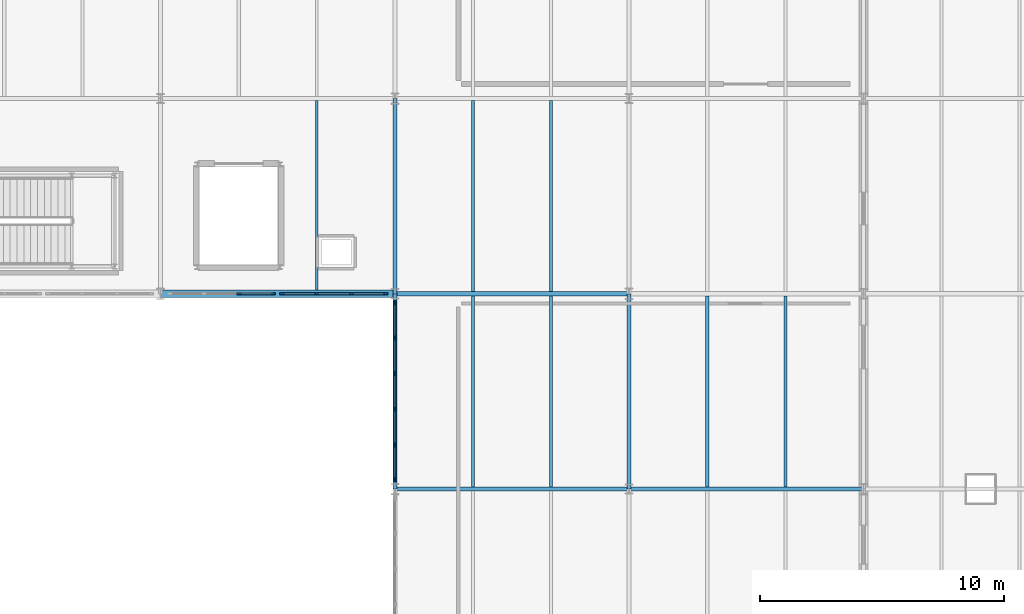
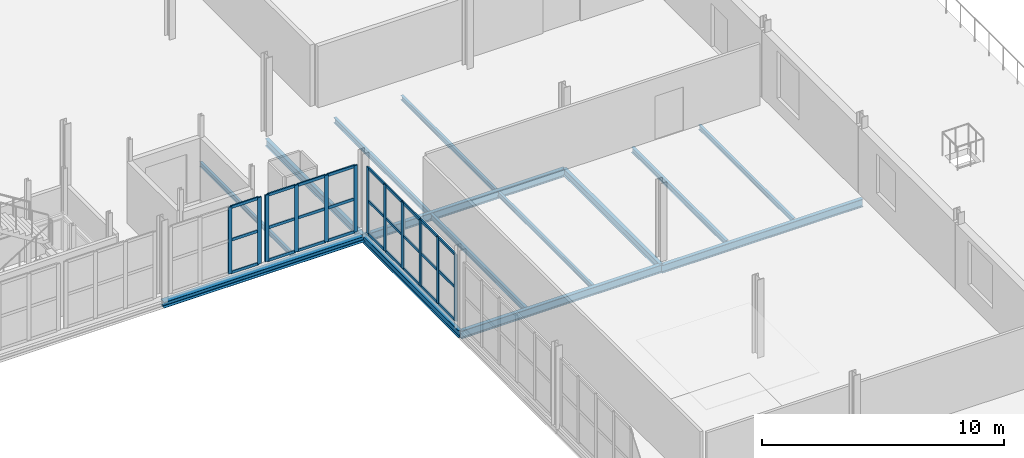
# One storey, part 56 of 85: 39 members, 14 beams, 3 elements without a shape of their own.
"""IFC4 building model written with IfcOpenShell, lengths in metres."""

from ifc_helpers import new_model, si_unit, direction, frame, origin, origin_2d, place, context, subcontext, project, spatial, rectangle, i_section, extrude, material, layer, layer_set, material_profile, profile_set, type_object, element, aggregate, save


model = new_model("IFC4")

# Units and contexts
model_context = context("Model", 3, precision=1e-05, world=origin(), true_north=direction((0.0, 1.0)))
body_context = subcontext(model_context, "Body", "Model", "MODEL_VIEW")
ifc_project = project(units=[si_unit("LENGTHUNIT", "METRE"), si_unit("AREAUNIT", "SQUARE_METRE"), si_unit("VOLUMEUNIT", "CUBIC_METRE"), si_unit("PLANEANGLEUNIT", "RADIAN"), si_unit("MASSUNIT", "GRAM", prefix="KILO")], contexts=[model_context])

# Site, building, storey
site_placement = place(None, origin())
site = spatial("IfcSite", under=ifc_project, at=site_placement, CompositionType="ELEMENT")
building_placement = place(site_placement, origin())
building = spatial("IfcBuilding", under=site, at=building_placement, Name="Alderhovde Museum", CompositionType="ELEMENT")
storey_placement = place(building_placement, frame((0.0, 0.0, 8.699951171875)))
storey = spatial("IfcBuildingStorey", under=building, at=storey_placement, Name="L02", CompositionType="ELEMENT", Elevation=8.699951171875)

# Beams
ifc_material_1 = material(Name="Steel S355J2", Category="steel")
ifc_material_profile_1 = material_profile(ifc_material_1, i_section(OverallWidth=0.169921875, OverallDepth=0.360107421875, WebThickness=0.008056640625, FlangeThickness=0.0126953125, FilletRadius=0.01806640625, at=origin_2d()), Name="IPE 360")
ifc_profile_set_1 = profile_set([ifc_material_profile_1], Name="Steel S355J2")
beam_type_1 = type_object("IfcBeamType", Name="BM-IPE360", PredefinedType="BEAM", material=ifc_profile_set_1)
for number, where, z_axis, x_axis, name in (
    (1, (144.0, 64.0, -0.43994140625), (0.0, 1.0, 0.0), (-1.0, 0.0, 0.0), "L02 Grid Beam X=144.0 (64.0 TO 72.0)"),
    (2, (144.0, 72.0, -0.43994140625), (0.0, 1.0, 0.0), (-1.0, 0.0, 0.0), "L02 Grid Beam X=144.0 (72.0 TO 80.0)"),
    (3, (153.60009765625, 64.0, -0.43994140625), (0.0, 1.0, 0.0), (-1.0, 0.0, 0.0), "L02 Grid Beam X=153.6 (64.0 TO 72.0)"),
):
    element("IfcBeam", number, at=place(storey_placement, frame(where, z_axis=z_axis, x_axis=x_axis)), inside=storey, type_object=beam_type_1, Name=name, PredefinedType="BEAM", context=body_context, shape_type="SweptSolid", body=[
        extrude(i_section(OverallWidth=0.169921875, OverallDepth=0.360107421875, WebThickness=0.008056640625, FlangeThickness=0.0126953125, FilletRadius=0.01806640625, at=origin_2d()), origin(), (0.0, 0.0, 1.0), 8.0),
    ])
ifc_material_2 = material(Name="Steel S355J2", Category="steel")
ifc_material_profile_2 = material_profile(ifc_material_2, i_section(OverallWidth=0.179931640625, OverallDepth=0.39990234375, WebThickness=0.008544921875, FlangeThickness=0.013427734375, FilletRadius=0.02099609375, at=origin_2d()), Name="IPE 400")
ifc_profile_set_2 = profile_set([ifc_material_profile_2], Name="Steel S355J2")
beam_type_2 = type_object("IfcBeamType", Name="BM-IPE400", PredefinedType="BEAM", material=ifc_profile_set_2)
beam_1_placement = place(storey_placement, frame((144.0, 64.0, -0.4599609375), z_axis=(1.0, 0.0, 0.0), x_axis=(0.0, 1.0, 0.0)))
element("IfcBeam", 4, at=beam_1_placement, inside=storey, type_object=beam_type_2, Name="L02 Grid Beam Y=64.0 (144.0 TO 153.6)", PredefinedType="BEAM", context=body_context, shape_type="SweptSolid", body=[
    extrude(i_section(OverallWidth=0.179931640625, OverallDepth=0.39990234375, WebThickness=0.008544921875, FlangeThickness=0.013427734375, FilletRadius=0.02099609375, at=origin_2d()), origin(), (0.0, 0.0, 1.0), 9.60009765625),
])
beam_2_placement = place(storey_placement, frame((153.60009765625, 64.0, -0.5), z_axis=(1.0, 0.0, 0.0), x_axis=(0.0, 1.0, 0.0)))
element("IfcBeam", 5, at=beam_2_placement, inside=storey, type_object=beam_type_2, Name="L02 Grid Beam Y=64.0 (153.6 TO 163.2)", PredefinedType="BEAM", context=body_context, shape_type="SweptSolid", body=[
    extrude(i_section(OverallWidth=0.179931640625, OverallDepth=0.39990234375, WebThickness=0.008544921875, FlangeThickness=0.013427734375, FilletRadius=0.02099609375, at=origin_2d()), origin(), (0.0, 0.0, 1.0), 9.599853515625),
])
beam_3_placement = place(storey_placement, frame((144.0, 72.0, -0.4599609375), z_axis=(1.0, 0.0, 0.0), x_axis=(0.0, 1.0, 0.0)))
element("IfcBeam", 6, at=beam_3_placement, inside=storey, type_object=beam_type_2, Name="L02 Grid Beam Y=72.0 (144.0 TO 153.6)", PredefinedType="BEAM", context=body_context, shape_type="SweptSolid", body=[
    extrude(i_section(OverallWidth=0.179931640625, OverallDepth=0.39990234375, WebThickness=0.008544921875, FlangeThickness=0.013427734375, FilletRadius=0.02099609375, at=origin_2d()), origin(), (0.0, 0.0, 1.0), 9.60009765625),
])

# Curtain wall, members
ifc_material_3 = material(Name="Triple-Glazed Bronze-Anodised Curtain Wall", Category="glass")
ifc_layer_1 = layer(ifc_material_3, 0.179931640625)
ifc_layer_set_1 = layer_set([ifc_layer_1], Name="Triple-Glazed Bronze-Anodised Curtain Wall")
curtain_wall_type_1 = type_object("IfcCurtainWallType", Name="CW-STIC-430x336", PredefinedType="USERDEFINED", material=ifc_layer_set_1)
curtain_wall_1_placement = place(storey_placement, origin())
curtain_wall_1 = element("IfcCurtainWall", 7, at=curtain_wall_1_placement, inside=storey, type_object=curtain_wall_type_1, Name="L02 Stick Curtain Wall 161", ObjectType="STICK CURTAIN WALL", PredefinedType="USERDEFINED")
ifc_material_4 = material(Name="Bronze-Anodised Aluminium EN AW-6063-T6", Category="aluminium")
ifc_material_profile_3 = material_profile(ifc_material_4, rectangle(XDim=0.06494140625, YDim=0.179931640625, at=origin_2d()), Name="MULLION 65x180")
ifc_profile_set_3 = profile_set([ifc_material_profile_3], Name="Bronze-Anodised Aluminium EN AW-6063-T6")
member_type_1 = type_object("IfcMemberType", Name="CWM-65x180", PredefinedType="MULLION", material=ifc_profile_set_3)
member_1_placement = place(storey_placement, frame((137.61669921875, 72.0, 0.0), z_axis=(0.0, 0.0, 1.0), x_axis=(0.0, 1.0, 0.0)))
member_1 = element("IfcMember", 8, at=member_1_placement, type_object=member_type_1, Name="CW37 mullion 3", PredefinedType="MULLION", context=body_context, shape_type="SweptSolid", body=[
    extrude(rectangle(XDim=0.06494140625, YDim=0.179931640625, at=origin_2d()), origin(), (0.0, 0.0, 1.0), 3.360107421875),
])
member_2_placement = place(storey_placement, frame((139.017578125, 72.0, 0.0), z_axis=(0.0, 0.0, 1.0), x_axis=(0.0, 1.0, 0.0)))
member_2 = element("IfcMember", 9, at=member_2_placement, type_object=member_type_1, Name="CW37 mullion 4", PredefinedType="MULLION", context=body_context, shape_type="SweptSolid", body=[
    extrude(rectangle(XDim=0.06494140625, YDim=0.179931640625, at=origin_2d()), origin(), (0.0, 0.0, 1.0), 3.360107421875),
])

curtain_wall_2_placement = place(storey_placement, origin())
curtain_wall_2 = element("IfcCurtainWall", 10, at=curtain_wall_2_placement, inside=storey, type_object=curtain_wall_type_1, Name="L02 Stick Curtain Wall 162", ObjectType="STICK CURTAIN WALL", PredefinedType="USERDEFINED")
member_3_placement = place(storey_placement, frame((139.382568359375, 72.0, 0.0), z_axis=(0.0, 0.0, 1.0), x_axis=(0.0, 1.0, 0.0)))
member_3 = element("IfcMember", 11, at=member_3_placement, type_object=member_type_1, Name="CW37 mullion 1", PredefinedType="MULLION", context=body_context, shape_type="SweptSolid", body=[
    extrude(rectangle(XDim=0.06494140625, YDim=0.179931640625, at=origin_2d()), origin(), (0.0, 0.0, 1.0), 3.360107421875),
])
member_4_placement = place(storey_placement, frame((140.783447265625, 72.0, 0.0), z_axis=(0.0, 0.0, 1.0), x_axis=(0.0, 1.0, 0.0)))
member_4 = element("IfcMember", 12, at=member_4_placement, type_object=member_type_1, Name="CW37 mullion 2", PredefinedType="MULLION", context=body_context, shape_type="SweptSolid", body=[
    extrude(rectangle(XDim=0.06494140625, YDim=0.179931640625, at=origin_2d()), origin(), (0.0, 0.0, 1.0), 3.360107421875),
])
member_5_placement = place(storey_placement, frame((142.216552734375, 72.0, 0.0), z_axis=(0.0, 0.0, 1.0), x_axis=(0.0, 1.0, 0.0)))
member_5 = element("IfcMember", 13, at=member_5_placement, type_object=member_type_1, Name="CW37 mullion 3", PredefinedType="MULLION", context=body_context, shape_type="SweptSolid", body=[
    extrude(rectangle(XDim=0.06494140625, YDim=0.179931640625, at=origin_2d()), origin(), (0.0, 0.0, 1.0), 3.360107421875),
])
member_6_placement = place(storey_placement, frame((143.617431640625, 72.0, 0.0), z_axis=(0.0, 0.0, 1.0), x_axis=(0.0, 1.0, 0.0)))
member_6 = element("IfcMember", 14, at=member_6_placement, type_object=member_type_1, Name="CW37 mullion 4", PredefinedType="MULLION", context=body_context, shape_type="SweptSolid", body=[
    extrude(rectangle(XDim=0.06494140625, YDim=0.179931640625, at=origin_2d()), origin(), (0.0, 0.0, 1.0), 3.360107421875),
])

ifc_material_5 = material(Name="Triple-Glazed Bronze-Anodised Curtain Wall", Category="glass")
ifc_layer_2 = layer(ifc_material_5, 0.179931640625)
ifc_layer_set_2 = layer_set([ifc_layer_2], Name="Triple-Glazed Bronze-Anodised Curtain Wall")
curtain_wall_type_2 = type_object("IfcCurtainWallType", Name="CW-STIC-730x336", PredefinedType="USERDEFINED", material=ifc_layer_set_2)
curtain_wall_3_placement = place(storey_placement, origin())
curtain_wall_3 = element("IfcCurtainWall", 15, at=curtain_wall_3_placement, inside=storey, type_object=curtain_wall_type_2, Name="L02 Stick Curtain Wall 166", ObjectType="STICK CURTAIN WALL", PredefinedType="USERDEFINED")
member_7_placement = place(storey_placement, frame((144.0, 64.382568359375, 0.0), z_axis=(0.0, 0.0, 1.0), x_axis=(-1.0, 0.0, 0.0)))
member_7 = element("IfcMember", 16, at=member_7_placement, type_object=member_type_1, Name="CW12 mullion 1", PredefinedType="MULLION", context=body_context, shape_type="SweptSolid", body=[
    extrude(rectangle(XDim=0.06494140625, YDim=0.179931640625, at=origin_2d()), origin(), (0.0, 0.0, 1.0), 3.360107421875),
])
member_8_placement = place(storey_placement, frame((144.0, 65.81005859375, 0.0), z_axis=(0.0, 0.0, 1.0), x_axis=(-1.0, 0.0, 0.0)))
member_8 = element("IfcMember", 17, at=member_8_placement, type_object=member_type_1, Name="CW12 mullion 2", PredefinedType="MULLION", context=body_context, shape_type="SweptSolid", body=[
    extrude(rectangle(XDim=0.06494140625, YDim=0.179931640625, at=origin_2d()), origin(), (0.0, 0.0, 1.0), 3.360107421875),
])
member_9_placement = place(storey_placement, frame((144.0, 67.27001953125, 0.0), z_axis=(0.0, 0.0, 1.0), x_axis=(-1.0, 0.0, 0.0)))
member_9 = element("IfcMember", 18, at=member_9_placement, type_object=member_type_1, Name="CW12 mullion 3", PredefinedType="MULLION", context=body_context, shape_type="SweptSolid", body=[
    extrude(rectangle(XDim=0.06494140625, YDim=0.179931640625, at=origin_2d()), origin(), (0.0, 0.0, 1.0), 3.360107421875),
])
member_10_placement = place(storey_placement, frame((144.0, 68.72998046875, 0.0), z_axis=(0.0, 0.0, 1.0), x_axis=(-1.0, 0.0, 0.0)))
member_10 = element("IfcMember", 19, at=member_10_placement, type_object=member_type_1, Name="CW12 mullion 4", PredefinedType="MULLION", context=body_context, shape_type="SweptSolid", body=[
    extrude(rectangle(XDim=0.06494140625, YDim=0.179931640625, at=origin_2d()), origin(), (0.0, 0.0, 1.0), 3.360107421875),
])
member_11_placement = place(storey_placement, frame((144.0, 70.18994140625, 0.0), z_axis=(0.0, 0.0, 1.0), x_axis=(-1.0, 0.0, 0.0)))
member_11 = element("IfcMember", 20, at=member_11_placement, type_object=member_type_1, Name="CW12 mullion 5", PredefinedType="MULLION", context=body_context, shape_type="SweptSolid", body=[
    extrude(rectangle(XDim=0.06494140625, YDim=0.179931640625, at=origin_2d()), origin(), (0.0, 0.0, 1.0), 3.360107421875),
])
member_12_placement = place(storey_placement, frame((144.0, 71.617431640625, 0.0), z_axis=(0.0, 0.0, 1.0), x_axis=(-1.0, 0.0, 0.0)))
member_12 = element("IfcMember", 21, at=member_12_placement, type_object=member_type_1, Name="CW12 mullion 6", PredefinedType="MULLION", context=body_context, shape_type="SweptSolid", body=[
    extrude(rectangle(XDim=0.06494140625, YDim=0.179931640625, at=origin_2d()), origin(), (0.0, 0.0, 1.0), 3.360107421875),
])

# Member
ifc_material_6 = material(Name="Bronze-Anodised Aluminium EN AW-6063-T6", Category="aluminium")
ifc_material_profile_4 = material_profile(ifc_material_6, rectangle(XDim=0.06494140625, YDim=0.139892578125, at=origin_2d()), Name="TRANSOM 65x140")
ifc_profile_set_4 = profile_set([ifc_material_profile_4], Name="Bronze-Anodised Aluminium EN AW-6063-T6")
member_type_2 = type_object("IfcMemberType", Name="CWT-65x140", PredefinedType="USERDEFINED", material=ifc_profile_set_4)
member_13_placement = place(storey_placement, frame((137.649169921875, 72.0, 0.032470703125), z_axis=(1.0, 0.0, 0.0), x_axis=(0.0, 1.0, 0.0)))
member_13 = element("IfcMember", 22, at=member_13_placement, type_object=member_type_2, Name="CW37 transom 3.1", ObjectType="TRANSOM", PredefinedType="USERDEFINED", context=body_context, shape_type="SweptSolid", body=[
    extrude(rectangle(XDim=0.06494140625, YDim=0.139892578125, at=origin_2d()), origin(), (0.0, 0.0, 1.0), 1.3359375),
])

member_14_placement = place(storey_placement, frame((137.649169921875, 72.0, 1.679931640625), z_axis=(1.0, 0.0, 0.0), x_axis=(0.0, 1.0, 0.0)))
member_14 = element("IfcMember", 23, at=member_14_placement, type_object=member_type_2, Name="CW37 transom 3.2", ObjectType="TRANSOM", PredefinedType="USERDEFINED", context=body_context, shape_type="SweptSolid", body=[
    extrude(rectangle(XDim=0.06494140625, YDim=0.139892578125, at=origin_2d()), origin(), (0.0, 0.0, 1.0), 1.3359375),
])

member_15_placement = place(storey_placement, frame((137.649169921875, 72.0, 3.32763671875), z_axis=(1.0, 0.0, 0.0), x_axis=(0.0, 1.0, 0.0)))
member_15 = element("IfcMember", 24, at=member_15_placement, type_object=member_type_2, Name="CW37 transom 3.3", ObjectType="TRANSOM", PredefinedType="USERDEFINED", context=body_context, shape_type="SweptSolid", body=[
    extrude(rectangle(XDim=0.06494140625, YDim=0.139892578125, at=origin_2d()), origin(), (0.0, 0.0, 1.0), 1.3359375),
])

aggregate(curtain_wall_1, [member_1, member_2, member_13, member_14, member_15])

member_16_placement = place(storey_placement, frame((139.4150390625, 72.0, 0.032470703125), z_axis=(1.0, 0.0, 0.0), x_axis=(0.0, 1.0, 0.0)))
member_16 = element("IfcMember", 25, at=member_16_placement, type_object=member_type_2, Name="CW37 transom 1.1", ObjectType="TRANSOM", PredefinedType="USERDEFINED", context=body_context, shape_type="SweptSolid", body=[
    extrude(rectangle(XDim=0.06494140625, YDim=0.139892578125, at=origin_2d()), origin(), (0.0, 0.0, 1.0), 1.335693359375),
])

member_17_placement = place(storey_placement, frame((139.4150390625, 72.0, 1.679931640625), z_axis=(1.0, 0.0, 0.0), x_axis=(0.0, 1.0, 0.0)))
member_17 = element("IfcMember", 26, at=member_17_placement, type_object=member_type_2, Name="CW37 transom 1.2", ObjectType="TRANSOM", PredefinedType="USERDEFINED", context=body_context, shape_type="SweptSolid", body=[
    extrude(rectangle(XDim=0.06494140625, YDim=0.139892578125, at=origin_2d()), origin(), (0.0, 0.0, 1.0), 1.335693359375),
])

member_18_placement = place(storey_placement, frame((139.4150390625, 72.0, 3.32763671875), z_axis=(1.0, 0.0, 0.0), x_axis=(0.0, 1.0, 0.0)))
member_18 = element("IfcMember", 27, at=member_18_placement, type_object=member_type_2, Name="CW37 transom 1.3", ObjectType="TRANSOM", PredefinedType="USERDEFINED", context=body_context, shape_type="SweptSolid", body=[
    extrude(rectangle(XDim=0.06494140625, YDim=0.139892578125, at=origin_2d()), origin(), (0.0, 0.0, 1.0), 1.335693359375),
])

member_19_placement = place(storey_placement, frame((140.81591796875, 72.0, 0.032470703125), z_axis=(1.0, 0.0, 0.0), x_axis=(0.0, 1.0, 0.0)))
member_19 = element("IfcMember", 28, at=member_19_placement, type_object=member_type_2, Name="CW37 transom 2.1", ObjectType="TRANSOM", PredefinedType="USERDEFINED", context=body_context, shape_type="SweptSolid", body=[
    extrude(rectangle(XDim=0.06494140625, YDim=0.139892578125, at=origin_2d()), origin(), (0.0, 0.0, 1.0), 1.3681640625),
])

member_20_placement = place(storey_placement, frame((140.81591796875, 72.0, 1.679931640625), z_axis=(1.0, 0.0, 0.0), x_axis=(0.0, 1.0, 0.0)))
member_20 = element("IfcMember", 29, at=member_20_placement, type_object=member_type_2, Name="CW37 transom 2.2", ObjectType="TRANSOM", PredefinedType="USERDEFINED", context=body_context, shape_type="SweptSolid", body=[
    extrude(rectangle(XDim=0.06494140625, YDim=0.139892578125, at=origin_2d()), origin(), (0.0, 0.0, 1.0), 1.3681640625),
])

member_21_placement = place(storey_placement, frame((140.81591796875, 72.0, 3.32763671875), z_axis=(1.0, 0.0, 0.0), x_axis=(0.0, 1.0, 0.0)))
member_21 = element("IfcMember", 30, at=member_21_placement, type_object=member_type_2, Name="CW37 transom 2.3", ObjectType="TRANSOM", PredefinedType="USERDEFINED", context=body_context, shape_type="SweptSolid", body=[
    extrude(rectangle(XDim=0.06494140625, YDim=0.139892578125, at=origin_2d()), origin(), (0.0, 0.0, 1.0), 1.3681640625),
])

member_22_placement = place(storey_placement, frame((142.249267578125, 72.0, 0.032470703125), z_axis=(1.0, 0.0, 0.0), x_axis=(0.0, 1.0, 0.0)))
member_22 = element("IfcMember", 31, at=member_22_placement, type_object=member_type_2, Name="CW37 transom 3.1", ObjectType="TRANSOM", PredefinedType="USERDEFINED", context=body_context, shape_type="SweptSolid", body=[
    extrude(rectangle(XDim=0.06494140625, YDim=0.139892578125, at=origin_2d()), origin(), (0.0, 0.0, 1.0), 1.335693359375),
])

member_23_placement = place(storey_placement, frame((142.249267578125, 72.0, 1.679931640625), z_axis=(1.0, 0.0, 0.0), x_axis=(0.0, 1.0, 0.0)))
member_23 = element("IfcMember", 32, at=member_23_placement, type_object=member_type_2, Name="CW37 transom 3.2", ObjectType="TRANSOM", PredefinedType="USERDEFINED", context=body_context, shape_type="SweptSolid", body=[
    extrude(rectangle(XDim=0.06494140625, YDim=0.139892578125, at=origin_2d()), origin(), (0.0, 0.0, 1.0), 1.335693359375),
])

member_24_placement = place(storey_placement, frame((142.249267578125, 72.0, 3.32763671875), z_axis=(1.0, 0.0, 0.0), x_axis=(0.0, 1.0, 0.0)))
member_24 = element("IfcMember", 33, at=member_24_placement, type_object=member_type_2, Name="CW37 transom 3.3", ObjectType="TRANSOM", PredefinedType="USERDEFINED", context=body_context, shape_type="SweptSolid", body=[
    extrude(rectangle(XDim=0.06494140625, YDim=0.139892578125, at=origin_2d()), origin(), (0.0, 0.0, 1.0), 1.335693359375),
])

aggregate(curtain_wall_2, [member_3, member_4, member_5, member_6, member_16, member_17, member_18, member_19, member_20, member_21, member_22, member_23, member_24])

member_25_placement = place(storey_placement, frame((144.0, 64.4150390625, 0.032470703125), z_axis=(0.0, 1.0, 0.0), x_axis=(-1.0, 0.0, 0.0)))
member_25 = element("IfcMember", 34, at=member_25_placement, type_object=member_type_2, Name="CW12 transom 1.1", ObjectType="TRANSOM", PredefinedType="USERDEFINED", context=body_context, shape_type="SweptSolid", body=[
    extrude(rectangle(XDim=0.06494140625, YDim=0.139892578125, at=origin_2d()), origin(), (0.0, 0.0, 1.0), 1.362548828125),
])

member_26_placement = place(storey_placement, frame((144.0, 64.4150390625, 1.679931640625), z_axis=(0.0, 1.0, 0.0), x_axis=(-1.0, 0.0, 0.0)))
member_26 = element("IfcMember", 35, at=member_26_placement, type_object=member_type_2, Name="CW12 transom 1.2", ObjectType="TRANSOM", PredefinedType="USERDEFINED", context=body_context, shape_type="SweptSolid", body=[
    extrude(rectangle(XDim=0.06494140625, YDim=0.139892578125, at=origin_2d()), origin(), (0.0, 0.0, 1.0), 1.362548828125),
])

member_27_placement = place(storey_placement, frame((144.0, 64.4150390625, 3.32763671875), z_axis=(0.0, 1.0, 0.0), x_axis=(-1.0, 0.0, 0.0)))
member_27 = element("IfcMember", 36, at=member_27_placement, type_object=member_type_2, Name="CW12 transom 1.3", ObjectType="TRANSOM", PredefinedType="USERDEFINED", context=body_context, shape_type="SweptSolid", body=[
    extrude(rectangle(XDim=0.06494140625, YDim=0.139892578125, at=origin_2d()), origin(), (0.0, 0.0, 1.0), 1.362548828125),
])

member_28_placement = place(storey_placement, frame((144.0, 65.842529296875, 0.032470703125), z_axis=(0.0, 1.0, 0.0), x_axis=(-1.0, 0.0, 0.0)))
member_28 = element("IfcMember", 37, at=member_28_placement, type_object=member_type_2, Name="CW12 transom 2.1", ObjectType="TRANSOM", PredefinedType="USERDEFINED", context=body_context, shape_type="SweptSolid", body=[
    extrude(rectangle(XDim=0.06494140625, YDim=0.139892578125, at=origin_2d()), origin(), (0.0, 0.0, 1.0), 1.39501953125),
])

member_29_placement = place(storey_placement, frame((144.0, 65.842529296875, 1.679931640625), z_axis=(0.0, 1.0, 0.0), x_axis=(-1.0, 0.0, 0.0)))
member_29 = element("IfcMember", 38, at=member_29_placement, type_object=member_type_2, Name="CW12 transom 2.2", ObjectType="TRANSOM", PredefinedType="USERDEFINED", context=body_context, shape_type="SweptSolid", body=[
    extrude(rectangle(XDim=0.06494140625, YDim=0.139892578125, at=origin_2d()), origin(), (0.0, 0.0, 1.0), 1.39501953125),
])

member_30_placement = place(storey_placement, frame((144.0, 65.842529296875, 3.32763671875), z_axis=(0.0, 1.0, 0.0), x_axis=(-1.0, 0.0, 0.0)))
member_30 = element("IfcMember", 39, at=member_30_placement, type_object=member_type_2, Name="CW12 transom 2.3", ObjectType="TRANSOM", PredefinedType="USERDEFINED", context=body_context, shape_type="SweptSolid", body=[
    extrude(rectangle(XDim=0.06494140625, YDim=0.139892578125, at=origin_2d()), origin(), (0.0, 0.0, 1.0), 1.39501953125),
])

member_31_placement = place(storey_placement, frame((144.0, 67.302490234375, 0.032470703125), z_axis=(0.0, 1.0, 0.0), x_axis=(-1.0, 0.0, 0.0)))
member_31 = element("IfcMember", 40, at=member_31_placement, type_object=member_type_2, Name="CW12 transom 3.1", ObjectType="TRANSOM", PredefinedType="USERDEFINED", context=body_context, shape_type="SweptSolid", body=[
    extrude(rectangle(XDim=0.06494140625, YDim=0.139892578125, at=origin_2d()), origin(), (0.0, 0.0, 1.0), 1.39501953125),
])

member_32_placement = place(storey_placement, frame((144.0, 67.302490234375, 1.679931640625), z_axis=(0.0, 1.0, 0.0), x_axis=(-1.0, 0.0, 0.0)))
member_32 = element("IfcMember", 41, at=member_32_placement, type_object=member_type_2, Name="CW12 transom 3.2", ObjectType="TRANSOM", PredefinedType="USERDEFINED", context=body_context, shape_type="SweptSolid", body=[
    extrude(rectangle(XDim=0.06494140625, YDim=0.139892578125, at=origin_2d()), origin(), (0.0, 0.0, 1.0), 1.39501953125),
])

member_33_placement = place(storey_placement, frame((144.0, 67.302490234375, 3.32763671875), z_axis=(0.0, 1.0, 0.0), x_axis=(-1.0, 0.0, 0.0)))
member_33 = element("IfcMember", 42, at=member_33_placement, type_object=member_type_2, Name="CW12 transom 3.3", ObjectType="TRANSOM", PredefinedType="USERDEFINED", context=body_context, shape_type="SweptSolid", body=[
    extrude(rectangle(XDim=0.06494140625, YDim=0.139892578125, at=origin_2d()), origin(), (0.0, 0.0, 1.0), 1.39501953125),
])

member_34_placement = place(storey_placement, frame((144.0, 68.762451171875, 0.032470703125), z_axis=(0.0, 1.0, 0.0), x_axis=(-1.0, 0.0, 0.0)))
member_34 = element("IfcMember", 43, at=member_34_placement, type_object=member_type_2, Name="CW12 transom 4.1", ObjectType="TRANSOM", PredefinedType="USERDEFINED", context=body_context, shape_type="SweptSolid", body=[
    extrude(rectangle(XDim=0.06494140625, YDim=0.139892578125, at=origin_2d()), origin(), (0.0, 0.0, 1.0), 1.39501953125),
])

member_35_placement = place(storey_placement, frame((144.0, 68.762451171875, 1.679931640625), z_axis=(0.0, 1.0, 0.0), x_axis=(-1.0, 0.0, 0.0)))
member_35 = element("IfcMember", 44, at=member_35_placement, type_object=member_type_2, Name="CW12 transom 4.2", ObjectType="TRANSOM", PredefinedType="USERDEFINED", context=body_context, shape_type="SweptSolid", body=[
    extrude(rectangle(XDim=0.06494140625, YDim=0.139892578125, at=origin_2d()), origin(), (0.0, 0.0, 1.0), 1.39501953125),
])

member_36_placement = place(storey_placement, frame((144.0, 68.762451171875, 3.32763671875), z_axis=(0.0, 1.0, 0.0), x_axis=(-1.0, 0.0, 0.0)))
member_36 = element("IfcMember", 45, at=member_36_placement, type_object=member_type_2, Name="CW12 transom 4.3", ObjectType="TRANSOM", PredefinedType="USERDEFINED", context=body_context, shape_type="SweptSolid", body=[
    extrude(rectangle(XDim=0.06494140625, YDim=0.139892578125, at=origin_2d()), origin(), (0.0, 0.0, 1.0), 1.39501953125),
])

member_37_placement = place(storey_placement, frame((144.0, 70.222412109375, 0.032470703125), z_axis=(0.0, 1.0, 0.0), x_axis=(-1.0, 0.0, 0.0)))
member_37 = element("IfcMember", 46, at=member_37_placement, type_object=member_type_2, Name="CW12 transom 5.1", ObjectType="TRANSOM", PredefinedType="USERDEFINED", context=body_context, shape_type="SweptSolid", body=[
    extrude(rectangle(XDim=0.06494140625, YDim=0.139892578125, at=origin_2d()), origin(), (0.0, 0.0, 1.0), 1.362548828125),
])

member_38_placement = place(storey_placement, frame((144.0, 70.222412109375, 1.679931640625), z_axis=(0.0, 1.0, 0.0), x_axis=(-1.0, 0.0, 0.0)))
member_38 = element("IfcMember", 47, at=member_38_placement, type_object=member_type_2, Name="CW12 transom 5.2", ObjectType="TRANSOM", PredefinedType="USERDEFINED", context=body_context, shape_type="SweptSolid", body=[
    extrude(rectangle(XDim=0.06494140625, YDim=0.139892578125, at=origin_2d()), origin(), (0.0, 0.0, 1.0), 1.362548828125),
])

member_39_placement = place(storey_placement, frame((144.0, 70.222412109375, 3.32763671875), z_axis=(0.0, 1.0, 0.0), x_axis=(-1.0, 0.0, 0.0)))
member_39 = element("IfcMember", 48, at=member_39_placement, type_object=member_type_2, Name="CW12 transom 5.3", ObjectType="TRANSOM", PredefinedType="USERDEFINED", context=body_context, shape_type="SweptSolid", body=[
    extrude(rectangle(XDim=0.06494140625, YDim=0.139892578125, at=origin_2d()), origin(), (0.0, 0.0, 1.0), 1.362548828125),
])

aggregate(curtain_wall_3, [member_7, member_8, member_9, member_10, member_11, member_12, member_25, member_26, member_27, member_28, member_29, member_30, member_31, member_32, member_33, member_34, member_35, member_36, member_37, member_38, member_39])

# Beams
ifc_material_7 = material(Name="Steel S355J2", Category="steel")
ifc_material_profile_5 = material_profile(ifc_material_7, i_section(OverallWidth=0.1201171875, OverallDepth=0.239990234375, WebThickness=0.006103515625, FlangeThickness=0.009765625, FilletRadius=0.014892578125, at=origin_2d()), Name="IPE 240")
ifc_profile_set_5 = profile_set([ifc_material_profile_5], Name="Steel S355J2")
beam_type_3 = type_object("IfcBeamType", Name="JST-IPE240", PredefinedType="JOIST", material=ifc_profile_set_5)
beam_4_placement = place(storey_placement, frame((140.800048828125, 72.14990234375, -0.3798828125), z_axis=(0.0, 1.0, 0.0), x_axis=(-1.0, 0.0, 0.0)))
element("IfcBeam", 49, at=beam_4_placement, inside=storey, type_object=beam_type_3, Name="L02 Composite Joist X=140.8 (72.0 TO 80.0)", PredefinedType="JOIST", context=body_context, shape_type="SweptSolid", body=[
    extrude(i_section(OverallWidth=0.1201171875, OverallDepth=0.239990234375, WebThickness=0.006103515625, FlangeThickness=0.009765625, FilletRadius=0.014892578125, at=origin_2d()), origin(), (0.0, 0.0, 1.0), 7.760009765625),
])
for number, where, z_axis, x_axis, name in (
    (50, (150.39990234375, 64.090087890625, -0.3798828125), (0.0, 1.0, 0.0), (-1.0, 0.0, 0.0), "L02 Composite Joist X=150.4 (64.0 TO 72.0)"),
    (51, (150.39990234375, 72.090087890625, -0.3798828125), (0.0, 1.0, 0.0), (-1.0, 0.0, 0.0), "L02 Composite Joist X=150.4 (72.0 TO 80.0)"),
    (52, (160.0, 64.090087890625, -0.3798828125), (0.0, 1.0, 0.0), (-1.0, 0.0, 0.0), "L02 Composite Joist X=160.0 (64.0 TO 72.0)"),
):
    element("IfcBeam", number, at=place(storey_placement, frame(where, z_axis=z_axis, x_axis=x_axis)), inside=storey, type_object=beam_type_3, Name=name, PredefinedType="JOIST", context=body_context, shape_type="SweptSolid", body=[
        extrude(i_section(OverallWidth=0.1201171875, OverallDepth=0.239990234375, WebThickness=0.006103515625, FlangeThickness=0.009765625, FilletRadius=0.014892578125, at=origin_2d()), origin(), (0.0, 0.0, 1.0), 7.81982421875),
    ])
ifc_material_8 = material(Name="Steel S355J2", Category="steel")
ifc_material_profile_6 = material_profile(ifc_material_8, i_section(OverallWidth=0.135009765625, OverallDepth=0.27001953125, WebThickness=0.006591796875, FlangeThickness=0.01025390625, FilletRadius=0.014892578125, at=origin_2d()), Name="IPE 270")
ifc_profile_set_6 = profile_set([ifc_material_profile_6], Name="Steel S355J2")
beam_type_4 = type_object("IfcBeamType", Name="JST-IPE270", PredefinedType="JOIST", material=ifc_profile_set_6)
for number, where, z_axis, x_axis, name in (
    (53, (147.199951171875, 64.090087890625, -0.39501953125), (0.0, 1.0, 0.0), (-1.0, 0.0, 0.0), "L02 Composite Joist X=147.2 (64.0 TO 72.0)"),
    (54, (147.199951171875, 72.090087890625, -0.39501953125), (0.0, 1.0, 0.0), (-1.0, 0.0, 0.0), "L02 Composite Joist X=147.2 (72.0 TO 80.0)"),
    (55, (156.800048828125, 64.090087890625, -0.39501953125), (0.0, 1.0, 0.0), (-1.0, 0.0, 0.0), "L02 Composite Joist X=156.8 (64.0 TO 72.0)"),
):
    element("IfcBeam", number, at=place(storey_placement, frame(where, z_axis=z_axis, x_axis=x_axis)), inside=storey, type_object=beam_type_4, Name=name, PredefinedType="JOIST", context=body_context, shape_type="SweptSolid", body=[
        extrude(i_section(OverallWidth=0.135009765625, OverallDepth=0.27001953125, WebThickness=0.006591796875, FlangeThickness=0.01025390625, FilletRadius=0.014892578125, at=origin_2d()), origin(), (0.0, 0.0, 1.0), 7.81982421875),
    ])
ifc_material_9 = material(Name="Steel S355J2", Category="steel")
ifc_material_profile_7 = material_profile(ifc_material_9, i_section(OverallWidth=0.300048828125, OverallDepth=0.2900390625, WebThickness=0.008544921875, FlangeThickness=0.013916015625, FilletRadius=0.027099609375, at=origin_2d()), Name="HEA 300")
ifc_profile_set_7 = profile_set([ifc_material_profile_7], Name="Steel S355J2")
beam_type_5 = type_object("IfcBeamType", Name="SPD-HEA300", PredefinedType="SPANDREL", material=ifc_profile_set_7)
beam_5_placement = place(storey_placement, frame((134.39990234375, 72.0, -0.405029296875), z_axis=(1.0, 0.0, 0.0), x_axis=(0.0, 1.0, 0.0)))
element("IfcBeam", 56, at=beam_5_placement, inside=storey, type_object=beam_type_5, Name="L02 Grid Beam Y=72.0 (134.4 TO 144.0)", PredefinedType="SPANDREL", context=body_context, shape_type="SweptSolid", body=[
    extrude(i_section(OverallWidth=0.300048828125, OverallDepth=0.2900390625, WebThickness=0.008544921875, FlangeThickness=0.013916015625, FilletRadius=0.027099609375, at=origin_2d()), origin(), (0.0, 0.0, 1.0), 9.60009765625),
])

save(model, "model.ifc")
